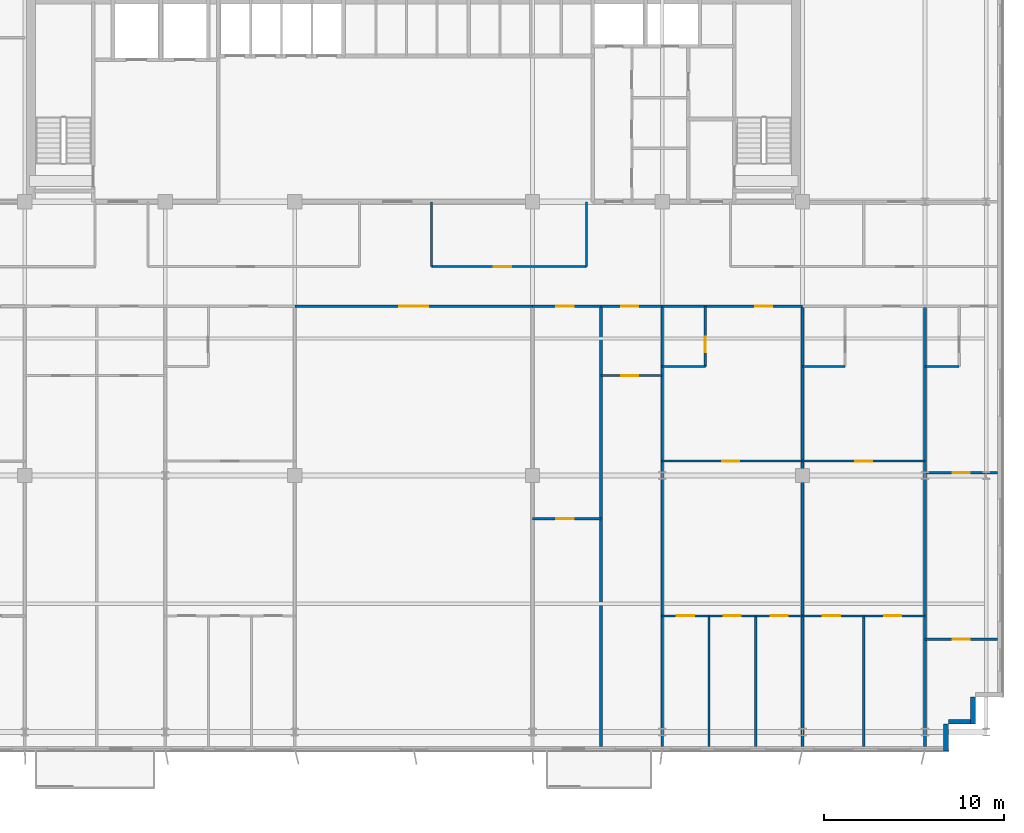
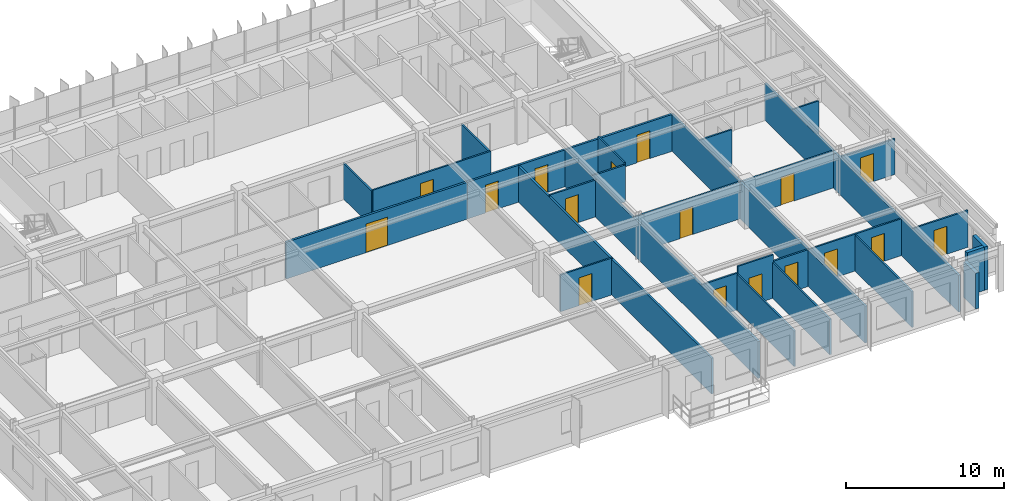
# One storey, part 16 of 22: 32 walls, 17 doors, 17 openings.
"""IFC4 building model written with IfcOpenShell, lengths in metres."""

from ifc_helpers import new_model, si_unit, direction, frame, frame_2d, origin, place, context, subcontext, project, spatial, rectangle, extrude, source, transform, mapped, material, layer, layer_set, type_object, element, fill, save


model = new_model("IFC4")

# Units and contexts
model_context = context("Model", 3, precision=1e-05, world=origin(), true_north=direction((0.0, 1.0)))
body_context = subcontext(model_context, "Body", "Model", "MODEL_VIEW")
ifc_project = project(units=[si_unit("LENGTHUNIT", "METRE"), si_unit("AREAUNIT", "SQUARE_METRE"), si_unit("VOLUMEUNIT", "CUBIC_METRE"), si_unit("PLANEANGLEUNIT", "RADIAN"), si_unit("MASSUNIT", "GRAM", prefix="KILO")], contexts=[model_context])

# Site, building, storey
site_placement = place(None, origin())
site = spatial("IfcSite", under=ifc_project, at=site_placement, CompositionType="ELEMENT")
building_placement = place(site_placement, origin())
building = spatial("IfcBuilding", under=site, at=building_placement, Name="Trelvane Seafront Commons", CompositionType="ELEMENT")
storey_placement = place(building_placement, frame((0.0, 0.0, 96.10009765625)))
storey = spatial("IfcBuildingStorey", under=building, at=storey_placement, Name="L24", CompositionType="ELEMENT", Elevation=96.10009765625)

# Walls
ifc_material_1 = material(Name="Precast concrete C40/50", Category="concrete")
ifc_layer_1 = layer(ifc_material_1, 0.260009765625, Name="ARCH-WALL-EXT260")
ifc_layer_set_1 = layer_set([ifc_layer_1], Name="Precast concrete C40/50")
wall_type_1 = type_object("IfcWallType", Name="ARCH-WALL-EXT260", PredefinedType="SOLIDWALL", material=ifc_layer_set_1)
for number, where, z_axis, x_axis, name in (
    (1, (68.27001953125, 5.89990234375, 0.0), (0.0, 0.0, 1.0), (0.0, -1.0, 0.0), "EW-L24-00449"),
    (2, (68.39990234375, 4.530029296875, 0.0), (0.0, 0.0, 1.0), (-1.0, 0.0, 0.0), "EW-L24-00450"),
):
    element("IfcWall", number, at=place(storey_placement, frame(where, z_axis=z_axis, x_axis=x_axis)), inside=storey, type_object=wall_type_1, Name=name, PredefinedType="SOLIDWALL", context=body_context, shape_type="SweptSolid", body=[
        extrude(rectangle(XDim=1.5, YDim=0.260009765625, at=frame_2d((0.75, 0.0))), origin(), (0.0, 0.0, 1.0), 3.33984375),
    ])
wall_1_placement = place(storey_placement, frame((66.77001953125, 4.39990234375, 0.0), z_axis=(0.0, 0.0, 1.0), x_axis=(0.0, -1.0, 0.0)))
element("IfcWall", 3, at=wall_1_placement, inside=storey, type_object=wall_type_1, Name="EW-L24-00451", PredefinedType="SOLIDWALL", context=body_context, shape_type="SweptSolid", body=[
    extrude(rectangle(XDim=1.5, YDim=0.260009765625, at=frame_2d((0.75, 0.0))), origin(), (0.0, 0.0, 1.0), 2.751953125),
])

# Wall, opening, door
ifc_material_2 = material(Name="Gypsum Drywall Acoustic Partition")
ifc_layer_2 = layer(ifc_material_2, 0.1201171875, Name="ARCH-WALL-PART120")
ifc_layer_set_2 = layer_set([ifc_layer_2], Name="Gypsum Drywall Acoustic Partition")
wall_type_2 = type_object("IfcWallType", Name="ARCH-WALL-PART120", PredefinedType="PARTITIONING", material=ifc_layer_set_2)
wall_2_placement = place(storey_placement, frame((38.199951171875, 29.800048828125, 0.0), z_axis=(0.0, 0.0, 1.0), x_axis=(1.0, 0.0, 0.0)))
wall_2 = element("IfcWall", 4, at=wall_2_placement, inside=storey, type_object=wall_type_2, Name="W-L24-CORR-N-M2-041", PredefinedType="PARTITIONING", context=body_context, shape_type="SweptSolid", body=[
    extrude(rectangle(XDim=8.60009765625, YDim=0.1201171875, at=frame_2d((4.300048828125, 0.0))), origin(), (0.0, 0.0, 1.0), 2.83984375),
])
opening_1_placement = place(wall_2_placement, frame((3.4619140625, 0.0, 0.0)))
opening_1 = element("IfcOpeningElement", 5, at=opening_1_placement, cuts=wall_2, Name="Opening D-L24-21", PredefinedType="OPENING", context=body_context, shape_type="SweptSolid", body=[
    extrude(rectangle(XDim=0.949951171875, YDim=2.14990234375, at=frame_2d((0.47509765625, 1.074951171875))), frame((0.0, 0.070068359375, 0.0), z_axis=(0.0, -1.0, 0.0), x_axis=(1.0, 0.0, 0.0)), (0.0, 0.0, 1.0), 0.14013671875),
])
ifc_material_3 = material(Name="Acoustic timber door leaf", Category="wood")
door_type_1 = type_object("IfcDoorType", Name="ARCH-DR-INT950", OperationType="NOTDEFINED", PredefinedType="DOOR", material=ifc_material_3)
shared_shape_1 = source(origin(), body_context, "Body", "SweptSolid", [
    extrude(rectangle(XDim=0.949951171875, YDim=2.14990234375, at=frame_2d((0.47509765625, 1.074951171875))), frame((0.0, 0.02490234375, 0.0), z_axis=(0.0, -1.0, 0.0), x_axis=(1.0, 0.0, 0.0)), (0.0, 0.0, 1.0), 0.050048828125),
])
door_1_placement = place(opening_1_placement, origin())
door_1 = element("IfcDoor", 6, at=door_1_placement, inside=storey, type_object=door_type_1, Name="L24 Door 21", OperationType="SINGLE_SWING_LEFT", OverallHeight=2.14990234375, OverallWidth=0.949951171875, PredefinedType="DOOR", context=body_context, shape_type="MappedRepresentation", body=[
    mapped(shared_shape_1, transform((0.0, 0.0, 0.0), x_axis=(1.0, 0.0, 0.0), y_axis=(0.0, 1.0, 0.0), z_axis=(0.0, 0.0, 1.0), scale=1.0)),
])
fill(opening_1, door_1)

# Walls
for number, where, z_axis, x_axis, name in (
    (7, (38.199951171875, 29.800048828125, 0.0), (0.0, 0.0, 1.0), (0.0, 1.0, 0.0), "W-L24-N-SPUR-M2-047"),
    (8, (46.800048828125, 29.800048828125, 0.0), (0.0, 0.0, 1.0), (0.0, 1.0, 0.0), "W-L24-N-SPUR-E1-048"),
):
    element("IfcWall", number, at=place(storey_placement, frame(where, z_axis=z_axis, x_axis=x_axis)), inside=storey, type_object=wall_type_2, Name=name, PredefinedType="PARTITIONING", context=body_context, shape_type="SweptSolid", body=[
        extrude(rectangle(XDim=3.599853515625, YDim=0.1201171875, at=frame_2d((1.7998046875, 0.0))), origin(), (0.0, 0.0, 1.0), 2.751953125),
    ])

# Wall, opening, door
wall_3_placement = place(storey_placement, frame((43.800048828125, 15.800048828125, 0.0), z_axis=(0.0, 0.0, 1.0), x_axis=(1.0, 0.0, 0.0)))
wall_3 = element("IfcWall", 9, at=wall_3_placement, inside=storey, type_object=wall_type_2, Name="W-L24-U7-DIV-097", PredefinedType="PARTITIONING", context=body_context, shape_type="SweptSolid", body=[
    extrude(rectangle(XDim=3.800048828125, YDim=0.1201171875, at=frame_2d((1.89990234375, 0.0))), origin(), (0.0, 0.0, 1.0), 2.83984375),
])
opening_2_placement = place(wall_3_placement, frame((1.330078125, 0.0, 0.0)))
opening_2 = element("IfcOpeningElement", 10, at=opening_2_placement, cuts=wall_3, Name="Opening D-L24-53", PredefinedType="OPENING", context=body_context, shape_type="SweptSolid", body=[
    extrude(rectangle(XDim=0.949951171875, YDim=2.14990234375, at=frame_2d((0.47509765625, 1.074951171875))), frame((0.0, 0.070068359375, 0.0), z_axis=(0.0, -1.0, 0.0), x_axis=(1.0, 0.0, 0.0)), (0.0, 0.0, 1.0), 0.14013671875),
])
door_2_placement = place(opening_2_placement, origin())
door_2 = element("IfcDoor", 11, at=door_2_placement, inside=storey, type_object=door_type_1, Name="L24 Door 53", OperationType="SINGLE_SWING_LEFT", OverallHeight=2.14990234375, OverallWidth=0.949951171875, PredefinedType="DOOR", context=body_context, shape_type="MappedRepresentation", body=[
    mapped(shared_shape_1, transform((0.0, 0.0, 0.0), x_axis=(1.0, 0.0, 0.0), y_axis=(0.0, 1.0, 0.0), z_axis=(0.0, 0.0, 1.0), scale=1.0)),
])
fill(opening_2, door_2)

wall_4_placement = place(storey_placement, frame((47.60009765625, 23.75, 0.0), z_axis=(0.0, 0.0, 1.0), x_axis=(1.0, 0.0, 0.0)))
wall_4 = element("IfcWall", 12, at=wall_4_placement, inside=storey, type_object=wall_type_2, Name="W-L24-U8-DIV-099", PredefinedType="PARTITIONING", context=body_context, shape_type="SweptSolid", body=[
    extrude(rectangle(XDim=3.39990234375, YDim=0.1201171875, at=frame_2d((1.699951171875, 0.0))), origin(), (0.0, 0.0, 1.0), 2.83984375),
])
opening_3_placement = place(wall_4_placement, frame((1.131103515625, 0.0, 0.0)))
opening_3 = element("IfcOpeningElement", 13, at=opening_3_placement, cuts=wall_4, Name="Opening D-L24-55", PredefinedType="OPENING", context=body_context, shape_type="SweptSolid", body=[
    extrude(rectangle(XDim=0.949951171875, YDim=2.14990234375, at=frame_2d((0.47509765625, 1.074951171875))), frame((0.0, 0.070068359375, 0.0), z_axis=(0.0, -1.0, 0.0), x_axis=(1.0, 0.0, 0.0)), (0.0, 0.0, 1.0), 0.14013671875),
])
door_3_placement = place(opening_3_placement, origin())
door_3 = element("IfcDoor", 14, at=door_3_placement, inside=storey, type_object=door_type_1, Name="L24 Door 55", OperationType="SINGLE_SWING_LEFT", OverallHeight=2.14990234375, OverallWidth=0.949951171875, PredefinedType="DOOR", context=body_context, shape_type="MappedRepresentation", body=[
    mapped(shared_shape_1, transform((0.0, 0.0, 0.0), x_axis=(1.0, 0.0, 0.0), y_axis=(0.0, 1.0, 0.0), z_axis=(0.0, 0.0, 1.0), scale=1.0)),
])
fill(opening_3, door_3)

wall_5_placement = place(storey_placement, frame((51.0, 19.0, 0.0), z_axis=(0.0, 0.0, 1.0), x_axis=(1.0, 0.0, 0.0)))
wall_5 = element("IfcWall", 15, at=wall_5_placement, inside=storey, type_object=wall_type_2, Name="W-L24-U9-KL-100", PredefinedType="PARTITIONING", context=body_context, shape_type="SweptSolid", body=[
    extrude(rectangle(XDim=7.800048828125, YDim=0.1201171875, at=frame_2d((3.89990234375, 0.0))), origin(), (0.0, 0.0, 1.0), 2.83984375),
])
opening_4_placement = place(wall_5_placement, frame((3.3330078125, 0.0, 0.0)))
opening_4 = element("IfcOpeningElement", 16, at=opening_4_placement, cuts=wall_5, Name="Opening D-L24-56", PredefinedType="OPENING", context=body_context, shape_type="SweptSolid", body=[
    extrude(rectangle(XDim=0.949951171875, YDim=2.14990234375, at=frame_2d((0.47509765625, 1.074951171875))), frame((0.0, 0.070068359375, 0.0), z_axis=(0.0, -1.0, 0.0), x_axis=(1.0, 0.0, 0.0)), (0.0, 0.0, 1.0), 0.14013671875),
])
door_4_placement = place(opening_4_placement, origin())
door_4 = element("IfcDoor", 17, at=door_4_placement, inside=storey, type_object=door_type_1, Name="L24 Door 56", OperationType="SINGLE_SWING_RIGHT", OverallHeight=2.14990234375, OverallWidth=0.949951171875, PredefinedType="DOOR", context=body_context, shape_type="MappedRepresentation", body=[
    mapped(shared_shape_1, transform((0.0, 0.0, 0.0), x_axis=(1.0, 0.0, 0.0), y_axis=(0.0, 1.0, 0.0), z_axis=(0.0, 0.0, 1.0), scale=1.0)),
])
fill(opening_4, door_4)

wall_6_placement = place(storey_placement, frame((53.39990234375, 24.25, 0.0), z_axis=(0.0, 0.0, 1.0), x_axis=(0.0, 1.0, 0.0)))
wall_6 = element("IfcWall", 18, at=wall_6_placement, inside=storey, type_object=wall_type_2, Name="W-L24-U9-BE-101", PredefinedType="PARTITIONING", context=body_context, shape_type="SweptSolid", body=[
    extrude(rectangle(XDim=3.35009765625, YDim=0.1201171875, at=frame_2d((1.675048828125, 0.0))), origin(), (0.0, 0.0, 1.0), 2.989990234375),
])
opening_5_placement = place(wall_6_placement, frame((0.800048828125, 0.0, 0.0)))
opening_5 = element("IfcOpeningElement", 19, at=opening_5_placement, cuts=wall_6, Name="Opening D-L24-57", PredefinedType="OPENING", context=body_context, shape_type="SweptSolid", body=[
    extrude(rectangle(XDim=0.85009765625, YDim=2.10009765625, at=frame_2d((0.425048828125, 1.050048828125))), frame((0.0, 0.070068359375, 0.0), z_axis=(0.0, -1.0, 0.0), x_axis=(1.0, 0.0, 0.0)), (0.0, 0.0, 1.0), 0.14013671875),
])
door_type_2 = type_object("IfcDoorType", Name="ARCH-DR-INT850", OperationType="NOTDEFINED", PredefinedType="DOOR", material=ifc_material_3)
shared_shape_2 = source(origin(), body_context, "Body", "SweptSolid", [
    extrude(rectangle(XDim=0.85009765625, YDim=2.10009765625, at=frame_2d((0.425048828125, 1.050048828125))), frame((0.0, 0.02490234375, 0.0), z_axis=(0.0, -1.0, 0.0), x_axis=(1.0, 0.0, 0.0)), (0.0, 0.0, 1.0), 0.050048828125),
])
door_5_placement = place(opening_5_placement, origin())
door_5 = element("IfcDoor", 20, at=door_5_placement, inside=storey, type_object=door_type_2, Name="L24 Door 57", OperationType="SINGLE_SWING_LEFT", OverallHeight=2.10009765625, OverallWidth=0.85009765625, PredefinedType="DOOR", context=body_context, shape_type="MappedRepresentation", body=[
    mapped(shared_shape_2, transform((0.0, 0.0, 0.0), x_axis=(1.0, 0.0, 0.0), y_axis=(0.0, 1.0, 0.0), z_axis=(0.0, 0.0, 1.0), scale=1.0)),
])
fill(opening_5, door_5)

# Wall
wall_7_placement = place(storey_placement, frame((51.0, 24.25, 0.0), z_axis=(0.0, 0.0, 1.0), x_axis=(1.0, 0.0, 0.0)))
element("IfcWall", 21, at=wall_7_placement, inside=storey, type_object=wall_type_2, Name="W-L24-U9-BS-102", PredefinedType="PARTITIONING", context=body_context, shape_type="SweptSolid", body=[
    extrude(rectangle(XDim=2.39990234375, YDim=0.1201171875, at=frame_2d((1.199951171875, 0.0))), origin(), (0.0, 0.0, 1.0), 2.83984375),
])

# Wall, opening, door
wall_8_placement = place(storey_placement, frame((51.0, 10.39990234375, 0.0), z_axis=(0.0, 0.0, 1.0), x_axis=(1.0, 0.0, 0.0)))
wall_8 = element("IfcWall", 22, at=wall_8_placement, inside=storey, type_object=wall_type_2, Name="W-L24-U9-YM-1-104", PredefinedType="PARTITIONING", context=body_context, shape_type="SweptSolid", body=[
    extrude(rectangle(XDim=2.60009765625, YDim=0.1201171875, at=frame_2d((1.300048828125, 0.0))), origin(), (0.0, 0.0, 1.0), 2.83984375),
])
opening_6_placement = place(wall_8_placement, frame((0.824951171875, 0.0, 0.0)))
opening_6 = element("IfcOpeningElement", 23, at=opening_6_placement, cuts=wall_8, Name="Opening D-L24-59", PredefinedType="OPENING", context=body_context, shape_type="SweptSolid", body=[
    extrude(rectangle(XDim=0.949951171875, YDim=2.14990234375, at=frame_2d((0.47509765625, 1.074951171875))), frame((0.0, 0.070068359375, 0.0), z_axis=(0.0, -1.0, 0.0), x_axis=(1.0, 0.0, 0.0)), (0.0, 0.0, 1.0), 0.14013671875),
])
door_6_placement = place(opening_6_placement, origin())
door_6 = element("IfcDoor", 24, at=door_6_placement, inside=storey, type_object=door_type_1, Name="L24 Door 59", OperationType="SINGLE_SWING_LEFT", OverallHeight=2.14990234375, OverallWidth=0.949951171875, PredefinedType="DOOR", context=body_context, shape_type="MappedRepresentation", body=[
    mapped(shared_shape_1, transform((0.0, 0.0, 0.0), x_axis=(1.0, 0.0, 0.0), y_axis=(0.0, 1.0, 0.0), z_axis=(0.0, 0.0, 1.0), scale=1.0)),
])
fill(opening_6, door_6)

wall_9_placement = place(storey_placement, frame((53.60009765625, 10.39990234375, 0.0), z_axis=(0.0, 0.0, 1.0), x_axis=(1.0, 0.0, 0.0)))
wall_9 = element("IfcWall", 25, at=wall_9_placement, inside=storey, type_object=wall_type_2, Name="W-L24-U9-YM-2-105", PredefinedType="PARTITIONING", context=body_context, shape_type="SweptSolid", body=[
    extrude(rectangle(XDim=2.599853515625, YDim=0.1201171875, at=frame_2d((1.2998046875, 0.0))), origin(), (0.0, 0.0, 1.0), 3.33984375),
])
opening_7_placement = place(wall_9_placement, frame((0.824951171875, 0.0, 0.0)))
opening_7 = element("IfcOpeningElement", 26, at=opening_7_placement, cuts=wall_9, Name="Opening D-L24-60", PredefinedType="OPENING", context=body_context, shape_type="SweptSolid", body=[
    extrude(rectangle(XDim=0.949951171875, YDim=2.14990234375, at=frame_2d((0.47509765625, 1.074951171875))), frame((0.0, 0.070068359375, 0.0), z_axis=(0.0, -1.0, 0.0), x_axis=(1.0, 0.0, 0.0)), (0.0, 0.0, 1.0), 0.14013671875),
])
door_7_placement = place(opening_7_placement, origin())
door_7 = element("IfcDoor", 27, at=door_7_placement, inside=storey, type_object=door_type_1, Name="L24 Door 60", OperationType="SINGLE_SWING_RIGHT", OverallHeight=2.14990234375, OverallWidth=0.949951171875, PredefinedType="DOOR", context=body_context, shape_type="MappedRepresentation", body=[
    mapped(shared_shape_1, transform((0.0, 0.0, 0.0), x_axis=(1.0, 0.0, 0.0), y_axis=(0.0, 1.0, 0.0), z_axis=(0.0, 0.0, 1.0), scale=1.0)),
])
fill(opening_7, door_7)

# Wall
wall_10_placement = place(storey_placement, frame((53.60009765625, 3.14501953125, 0.0), z_axis=(0.0, 0.0, 1.0), x_axis=(0.0, 1.0, 0.0)))
element("IfcWall", 28, at=wall_10_placement, inside=storey, type_object=wall_type_2, Name="W-L24-U9-BDV-1-106", PredefinedType="PARTITIONING", context=body_context, shape_type="SweptSolid", body=[
    extrude(rectangle(XDim=7.2548828125, YDim=0.1201171875, at=frame_2d((3.62744140625, 0.0))), origin(), (0.0, 0.0, 1.0), 2.751953125),
])

# Wall, opening, door
wall_11_placement = place(storey_placement, frame((56.199951171875, 10.39990234375, 0.0), z_axis=(0.0, 0.0, 1.0), x_axis=(1.0, 0.0, 0.0)))
wall_11 = element("IfcWall", 29, at=wall_11_placement, inside=storey, type_object=wall_type_2, Name="W-L24-U9-YM-3-107", PredefinedType="PARTITIONING", context=body_context, shape_type="SweptSolid", body=[
    extrude(rectangle(XDim=2.60009765625, YDim=0.1201171875, at=frame_2d((1.300048828125, 0.0))), origin(), (0.0, 0.0, 1.0), 2.83984375),
])
opening_8_placement = place(wall_11_placement, frame((0.824951171875, 0.0, 0.0)))
opening_8 = element("IfcOpeningElement", 30, at=opening_8_placement, cuts=wall_11, Name="Opening D-L24-61", PredefinedType="OPENING", context=body_context, shape_type="SweptSolid", body=[
    extrude(rectangle(XDim=0.949951171875, YDim=2.14990234375, at=frame_2d((0.47509765625, 1.074951171875))), frame((0.0, 0.070068359375, 0.0), z_axis=(0.0, -1.0, 0.0), x_axis=(1.0, 0.0, 0.0)), (0.0, 0.0, 1.0), 0.14013671875),
])
door_8_placement = place(opening_8_placement, origin())
door_8 = element("IfcDoor", 31, at=door_8_placement, inside=storey, type_object=door_type_1, Name="L24 Door 61", OperationType="SINGLE_SWING_LEFT", OverallHeight=2.14990234375, OverallWidth=0.949951171875, PredefinedType="DOOR", context=body_context, shape_type="MappedRepresentation", body=[
    mapped(shared_shape_1, transform((0.0, 0.0, 0.0), x_axis=(1.0, 0.0, 0.0), y_axis=(0.0, 1.0, 0.0), z_axis=(0.0, 0.0, 1.0), scale=1.0)),
])
fill(opening_8, door_8)

# Wall
wall_12_placement = place(storey_placement, frame((56.199951171875, 3.14501953125, 0.0), z_axis=(0.0, 0.0, 1.0), x_axis=(0.0, 1.0, 0.0)))
element("IfcWall", 32, at=wall_12_placement, inside=storey, type_object=wall_type_2, Name="W-L24-U9-BDV-2-108", PredefinedType="PARTITIONING", context=body_context, shape_type="SweptSolid", body=[
    extrude(rectangle(XDim=7.2548828125, YDim=0.1201171875, at=frame_2d((3.62744140625, 0.0))), origin(), (0.0, 0.0, 1.0), 2.751953125),
])

# Wall, opening, door
wall_13_placement = place(storey_placement, frame((58.800048828125, 19.0, 0.0), z_axis=(0.0, 0.0, 1.0), x_axis=(1.0, 0.0, 0.0)))
wall_13 = element("IfcWall", 33, at=wall_13_placement, inside=storey, type_object=wall_type_2, Name="W-L24-U10-KL-109", PredefinedType="PARTITIONING", context=body_context, shape_type="SweptSolid", body=[
    extrude(rectangle(XDim=6.800048828125, YDim=0.1201171875, at=frame_2d((3.39990234375, 0.0))), origin(), (0.0, 0.0, 1.0), 2.83984375),
])
opening_9_placement = place(wall_13_placement, frame((2.925048828125, 0.0, 0.0)))
opening_9 = element("IfcOpeningElement", 34, at=opening_9_placement, cuts=wall_13, Name="Opening D-L24-62", PredefinedType="OPENING", context=body_context, shape_type="SweptSolid", body=[
    extrude(rectangle(XDim=0.949951171875, YDim=2.14990234375, at=frame_2d((0.47509765625, 1.074951171875))), frame((0.0, 0.070068359375, 0.0), z_axis=(0.0, -1.0, 0.0), x_axis=(1.0, 0.0, 0.0)), (0.0, 0.0, 1.0), 0.14013671875),
])
door_9_placement = place(opening_9_placement, origin())
door_9 = element("IfcDoor", 35, at=door_9_placement, inside=storey, type_object=door_type_1, Name="L24 Door 62", OperationType="SINGLE_SWING_RIGHT", OverallHeight=2.14990234375, OverallWidth=0.949951171875, PredefinedType="DOOR", context=body_context, shape_type="MappedRepresentation", body=[
    mapped(shared_shape_1, transform((0.0, 0.0, 0.0), x_axis=(1.0, 0.0, 0.0), y_axis=(0.0, 1.0, 0.0), z_axis=(0.0, 0.0, 1.0), scale=1.0)),
])
fill(opening_9, door_9)

# Wall
wall_14_placement = place(storey_placement, frame((58.800048828125, 24.25, 0.0), z_axis=(0.0, 0.0, 1.0), x_axis=(1.0, 0.0, 0.0)))
element("IfcWall", 36, at=wall_14_placement, inside=storey, type_object=wall_type_2, Name="W-L24-U10-BS-111", PredefinedType="PARTITIONING", context=body_context, shape_type="SweptSolid", body=[
    extrude(rectangle(XDim=2.362060546875, YDim=0.1201171875, at=frame_2d((1.18115234375, 0.0))), origin(), (0.0, 0.0, 1.0), 2.83984375),
])

# Wall, opening, door
wall_15_placement = place(storey_placement, frame((58.800048828125, 10.39990234375, 0.0), z_axis=(0.0, 0.0, 1.0), x_axis=(1.0, 0.0, 0.0)))
wall_15 = element("IfcWall", 37, at=wall_15_placement, inside=storey, type_object=wall_type_2, Name="W-L24-U10-YM-1-113", PredefinedType="PARTITIONING", context=body_context, shape_type="SweptSolid", body=[
    extrude(rectangle(XDim=3.39990234375, YDim=0.1201171875, at=frame_2d((1.699951171875, 0.0))), origin(), (0.0, 0.0, 1.0), 2.83984375),
])
opening_10_placement = place(wall_15_placement, frame((1.131103515625, 0.0, 0.0)))
opening_10 = element("IfcOpeningElement", 38, at=opening_10_placement, cuts=wall_15, Name="Opening D-L24-65", PredefinedType="OPENING", context=body_context, shape_type="SweptSolid", body=[
    extrude(rectangle(XDim=0.949951171875, YDim=2.14990234375, at=frame_2d((0.47509765625, 1.074951171875))), frame((0.0, 0.070068359375, 0.0), z_axis=(0.0, -1.0, 0.0), x_axis=(1.0, 0.0, 0.0)), (0.0, 0.0, 1.0), 0.14013671875),
])
door_10_placement = place(opening_10_placement, origin())
door_10 = element("IfcDoor", 39, at=door_10_placement, inside=storey, type_object=door_type_1, Name="L24 Door 65", OperationType="SINGLE_SWING_LEFT", OverallHeight=2.14990234375, OverallWidth=0.949951171875, PredefinedType="DOOR", context=body_context, shape_type="MappedRepresentation", body=[
    mapped(shared_shape_1, transform((0.0, 0.0, 0.0), x_axis=(1.0, 0.0, 0.0), y_axis=(0.0, 1.0, 0.0), z_axis=(0.0, 0.0, 1.0), scale=1.0)),
])
fill(opening_10, door_10)

wall_16_placement = place(storey_placement, frame((62.199951171875, 10.39990234375, 0.0), z_axis=(0.0, 0.0, 1.0), x_axis=(1.0, 0.0, 0.0)))
wall_16 = element("IfcWall", 40, at=wall_16_placement, inside=storey, type_object=wall_type_2, Name="W-L24-U10-YM-2-114", PredefinedType="PARTITIONING", context=body_context, shape_type="SweptSolid", body=[
    extrude(rectangle(XDim=3.400146484375, YDim=0.1201171875, at=frame_2d((1.7001953125, 0.0))), origin(), (0.0, 0.0, 1.0), 2.83984375),
])
opening_11_placement = place(wall_16_placement, frame((1.131103515625, 0.0, 0.0)))
opening_11 = element("IfcOpeningElement", 41, at=opening_11_placement, cuts=wall_16, Name="Opening D-L24-66", PredefinedType="OPENING", context=body_context, shape_type="SweptSolid", body=[
    extrude(rectangle(XDim=0.949951171875, YDim=2.14990234375, at=frame_2d((0.47509765625, 1.074951171875))), frame((0.0, 0.070068359375, 0.0), z_axis=(0.0, -1.0, 0.0), x_axis=(1.0, 0.0, 0.0)), (0.0, 0.0, 1.0), 0.14013671875),
])
door_11_placement = place(opening_11_placement, origin())
door_11 = element("IfcDoor", 42, at=door_11_placement, inside=storey, type_object=door_type_1, Name="L24 Door 66", OperationType="SINGLE_SWING_RIGHT", OverallHeight=2.14990234375, OverallWidth=0.949951171875, PredefinedType="DOOR", context=body_context, shape_type="MappedRepresentation", body=[
    mapped(shared_shape_1, transform((0.0, 0.0, 0.0), x_axis=(1.0, 0.0, 0.0), y_axis=(0.0, 1.0, 0.0), z_axis=(0.0, 0.0, 1.0), scale=1.0)),
])
fill(opening_11, door_11)

# Wall
wall_17_placement = place(storey_placement, frame((62.199951171875, 3.14501953125, 0.0), z_axis=(0.0, 0.0, 1.0), x_axis=(0.0, 1.0, 0.0)))
element("IfcWall", 43, at=wall_17_placement, inside=storey, type_object=wall_type_2, Name="W-L24-U10-BDV-1-115", PredefinedType="PARTITIONING", context=body_context, shape_type="SweptSolid", body=[
    extrude(rectangle(XDim=7.2548828125, YDim=0.1201171875, at=frame_2d((3.62744140625, 0.0))), origin(), (0.0, 0.0, 1.0), 2.751953125),
])

# Wall, opening, door
wall_18_placement = place(storey_placement, frame((65.60009765625, 18.35009765625, 0.0), z_axis=(0.0, 0.0, 1.0), x_axis=(1.0, 0.0, 0.0)))
wall_18 = element("IfcWall", 44, at=wall_18_placement, inside=storey, type_object=wall_type_2, Name="W-L24-U11-KL-116", PredefinedType="PARTITIONING", context=body_context, shape_type="SweptSolid", body=[
    extrude(rectangle(XDim=4.039794921875, YDim=0.1201171875, at=frame_2d((2.02001953125, 0.0))), origin(), (0.0, 0.0, 1.0), 2.751953125),
])
opening_12_placement = place(wall_18_placement, frame((1.544921875, 0.0, 0.0)))
opening_12 = element("IfcOpeningElement", 45, at=opening_12_placement, cuts=wall_18, Name="Opening D-L24-67", PredefinedType="OPENING", context=body_context, shape_type="SweptSolid", body=[
    extrude(rectangle(XDim=0.949951171875, YDim=2.14990234375, at=frame_2d((0.47509765625, 1.074951171875))), frame((0.0, 0.070068359375, 0.0), z_axis=(0.0, -1.0, 0.0), x_axis=(1.0, 0.0, 0.0)), (0.0, 0.0, 1.0), 0.14013671875),
])
door_12_placement = place(opening_12_placement, origin())
door_12 = element("IfcDoor", 46, at=door_12_placement, inside=storey, type_object=door_type_1, Name="L24 Door 67", OperationType="SINGLE_SWING_LEFT", OverallHeight=2.14990234375, OverallWidth=0.949951171875, PredefinedType="DOOR", context=body_context, shape_type="MappedRepresentation", body=[
    mapped(shared_shape_1, transform((0.0, 0.0, 0.0), x_axis=(1.0, 0.0, 0.0), y_axis=(0.0, 1.0, 0.0), z_axis=(0.0, 0.0, 1.0), scale=1.0)),
])
fill(opening_12, door_12)

# Wall
wall_19_placement = place(storey_placement, frame((65.60009765625, 24.25, 0.0), z_axis=(0.0, 0.0, 1.0), x_axis=(1.0, 0.0, 0.0)))
element("IfcWall", 47, at=wall_19_placement, inside=storey, type_object=wall_type_2, Name="W-L24-U11-BS-118", PredefinedType="PARTITIONING", context=body_context, shape_type="SweptSolid", body=[
    extrude(rectangle(XDim=1.89990234375, YDim=0.1201171875, at=frame_2d((0.949951171875, 0.0))), origin(), (0.0, 0.0, 1.0), 2.83984375),
])

# Wall, opening, door
wall_20_placement = place(storey_placement, frame((65.60009765625, 9.10009765625, 0.0), z_axis=(0.0, 0.0, 1.0), x_axis=(1.0, 0.0, 0.0)))
wall_20 = element("IfcWall", 48, at=wall_20_placement, inside=storey, type_object=wall_type_2, Name="W-L24-U11-YM-1-120", PredefinedType="PARTITIONING", context=body_context, shape_type="SweptSolid", body=[
    extrude(rectangle(XDim=4.039794921875, YDim=0.1201171875, at=frame_2d((2.02001953125, 0.0))), origin(), (0.0, 0.0, 1.0), 2.83984375),
])
opening_13_placement = place(wall_20_placement, frame((1.544921875, 0.0, 0.0)))
opening_13 = element("IfcOpeningElement", 49, at=opening_13_placement, cuts=wall_20, Name="Opening D-L24-70", PredefinedType="OPENING", context=body_context, shape_type="SweptSolid", body=[
    extrude(rectangle(XDim=0.949951171875, YDim=2.14990234375, at=frame_2d((0.47509765625, 1.074951171875))), frame((0.0, 0.070068359375, 0.0), z_axis=(0.0, -1.0, 0.0), x_axis=(1.0, 0.0, 0.0)), (0.0, 0.0, 1.0), 0.14013671875),
])
door_13_placement = place(opening_13_placement, origin())
door_13 = element("IfcDoor", 50, at=door_13_placement, inside=storey, type_object=door_type_1, Name="L24 Door 70", OperationType="SINGLE_SWING_RIGHT", OverallHeight=2.14990234375, OverallWidth=0.949951171875, PredefinedType="DOOR", context=body_context, shape_type="MappedRepresentation", body=[
    mapped(shared_shape_1, transform((0.0, 0.0, 0.0), x_axis=(1.0, 0.0, 0.0), y_axis=(0.0, 1.0, 0.0), z_axis=(0.0, 0.0, 1.0), scale=1.0)),
])
fill(opening_13, door_13)

# Walls
ifc_layer_3 = layer(ifc_material_2, 0.14990234375, Name="ARCH-WALL-PART150")
ifc_layer_set_3 = layer_set([ifc_layer_3], Name="Gypsum Drywall Acoustic Partition")
wall_type_3 = type_object("IfcWallType", Name="ARCH-WALL-PART150", PredefinedType="PARTITIONING", material=ifc_layer_set_3)
wall_21_placement = place(storey_placement, frame((47.60009765625, 3.14501953125, 0.0), z_axis=(0.0, 0.0, 1.0), x_axis=(0.0, 1.0, 0.0)))
element("IfcWall", 51, at=wall_21_placement, inside=storey, type_object=wall_type_3, Name="W-L24-PW-7-066", PredefinedType="PARTITIONING", context=body_context, shape_type="SweptSolid", body=[
    extrude(rectangle(XDim=24.455078125, YDim=0.14990234375, at=frame_2d((12.2275390625, 0.0))), origin(), (0.0, 0.0, 1.0), 2.751953125),
])
for number, where, z_axis, x_axis, name in (
    (52, (51.0, 3.14501953125, 0.0), (0.0, 0.0, 1.0), (0.0, 1.0, 0.0), "W-L24-PW-8-067"),
    (53, (58.800048828125, 3.14501953125, 0.0), (0.0, 0.0, 1.0), (0.0, 1.0, 0.0), "W-L24-PW-9-068"),
    (54, (65.60009765625, 3.14501953125, 0.0), (0.0, 0.0, 1.0), (0.0, 1.0, 0.0), "W-L24-PW-10-069"),
):
    element("IfcWall", number, at=place(storey_placement, frame(where, z_axis=z_axis, x_axis=x_axis)), inside=storey, type_object=wall_type_3, Name=name, PredefinedType="PARTITIONING", context=body_context, shape_type="SweptSolid", body=[
        extrude(rectangle(XDim=24.455078125, YDim=0.14990234375, at=frame_2d((12.2275390625, 0.0))), origin(), (0.0, 0.0, 1.0), 2.83984375),
    ])

# Wall, opening, door
wall_22_placement = place(storey_placement, frame((30.60009765625, 27.60009765625, 0.0), z_axis=(0.0, 0.0, 1.0), x_axis=(1.0, 0.0, 0.0)))
wall_22 = element("IfcWall", 55, at=wall_22_placement, inside=storey, type_object=wall_type_3, Name="W-L24-CS-BAY-6-095", PredefinedType="PARTITIONING", context=body_context, shape_type="SweptSolid", body=[
    extrude(rectangle(XDim=13.199951171875, YDim=0.14990234375, at=frame_2d((6.60009765625, 0.0))), origin(), (0.0, 0.0, 1.0), 2.83984375),
])
opening_14_placement = place(wall_22_placement, frame((5.800048828125, 0.0, 0.0)))
opening_14 = element("IfcOpeningElement", 56, at=opening_14_placement, cuts=wall_22, Name="Opening D-L24-51", PredefinedType="OPENING", context=body_context, shape_type="SweptSolid", body=[
    extrude(rectangle(XDim=1.60009765625, YDim=2.199951171875, at=frame_2d((0.800048828125, 1.10009765625))), frame((0.0, 0.0849609375, 0.0), z_axis=(0.0, -1.0, 0.0), x_axis=(1.0, 0.0, 0.0)), (0.0, 0.0, 1.0), 0.169921875),
])
door_type_3 = type_object("IfcDoorType", Name="ARCH-DR-GLZ1600", OperationType="DOUBLE_DOOR_SINGLE_SWING", PredefinedType="DOOR", material=ifc_material_3)
shared_shape_3 = source(origin(), body_context, "Body", "SweptSolid", [
    extrude(rectangle(XDim=1.60009765625, YDim=2.199951171875, at=frame_2d((0.800048828125, 1.10009765625))), frame((0.0, 0.02490234375, 0.0), z_axis=(0.0, -1.0, 0.0), x_axis=(1.0, 0.0, 0.0)), (0.0, 0.0, 1.0), 0.050048828125),
])
door_14_placement = place(opening_14_placement, origin())
door_14 = element("IfcDoor", 57, at=door_14_placement, inside=storey, type_object=door_type_3, Name="L24 Commons Lounge 06 Door", OperationType="DOUBLE_DOOR_SINGLE_SWING", OverallHeight=2.199951171875, OverallWidth=1.60009765625, PredefinedType="DOOR", context=body_context, shape_type="MappedRepresentation", body=[
    mapped(shared_shape_3, transform((0.0, 0.0, 0.0), x_axis=(1.0, 0.0, 0.0), y_axis=(0.0, 1.0, 0.0), z_axis=(0.0, 0.0, 1.0), scale=1.0)),
])
fill(opening_14, door_14)

wall_23_placement = place(storey_placement, frame((43.800048828125, 27.60009765625, 0.0), z_axis=(0.0, 0.0, 1.0), x_axis=(1.0, 0.0, 0.0)))
wall_23 = element("IfcWall", 58, at=wall_23_placement, inside=storey, type_object=wall_type_3, Name="W-L24-CS-BAY-7-096", PredefinedType="PARTITIONING", context=body_context, shape_type="SweptSolid", body=[
    extrude(rectangle(XDim=3.800048828125, YDim=0.14990234375, at=frame_2d((1.89990234375, 0.0))), origin(), (0.0, 0.0, 1.0), 2.83984375),
])
opening_15_placement = place(wall_23_placement, frame((1.330078125, 0.0, 0.0)))
opening_15 = element("IfcOpeningElement", 59, at=opening_15_placement, cuts=wall_23, Name="Opening FD-L24-52", PredefinedType="OPENING", context=body_context, shape_type="SweptSolid", body=[
    extrude(rectangle(XDim=0.949951171875, YDim=2.14990234375, at=frame_2d((0.47509765625, 1.074951171875))), frame((0.0, 0.0849609375, 0.0), z_axis=(0.0, -1.0, 0.0), x_axis=(1.0, 0.0, 0.0)), (0.0, 0.0, 1.0), 0.169921875),
])
ifc_material_4 = material(Name="Powder-coated aluminium frame", Category="aluminium")
door_type_4 = type_object("IfcDoorType", Name="ARCH-DR-FD60-950", OperationType="NOTDEFINED", PredefinedType="DOOR", material=ifc_material_4)
door_15_placement = place(opening_15_placement, origin())
door_15 = element("IfcDoor", 60, at=door_15_placement, inside=storey, type_object=door_type_4, Name="L24 Bay 07 Entrance Door", OperationType="SINGLE_SWING_RIGHT", OverallHeight=2.14990234375, OverallWidth=0.949951171875, PredefinedType="DOOR", context=body_context, shape_type="MappedRepresentation", body=[
    mapped(shared_shape_1, transform((0.0, 0.0, 0.0), x_axis=(1.0, 0.0, 0.0), y_axis=(0.0, 1.0, 0.0), z_axis=(0.0, 0.0, 1.0), scale=1.0)),
])
fill(opening_15, door_15)

wall_24_placement = place(storey_placement, frame((47.60009765625, 27.60009765625, 0.0), z_axis=(0.0, 0.0, 1.0), x_axis=(1.0, 0.0, 0.0)))
wall_24 = element("IfcWall", 61, at=wall_24_placement, inside=storey, type_object=wall_type_3, Name="W-L24-CS-BAY-8-098", PredefinedType="PARTITIONING", context=body_context, shape_type="SweptSolid", body=[
    extrude(rectangle(XDim=3.39990234375, YDim=0.14990234375, at=frame_2d((1.699951171875, 0.0))), origin(), (0.0, 0.0, 1.0), 2.83984375),
])
opening_16_placement = place(wall_24_placement, frame((1.131103515625, 0.0, 0.0)))
opening_16 = element("IfcOpeningElement", 62, at=opening_16_placement, cuts=wall_24, Name="Opening FD-L24-54", PredefinedType="OPENING", context=body_context, shape_type="SweptSolid", body=[
    extrude(rectangle(XDim=0.949951171875, YDim=2.14990234375, at=frame_2d((0.47509765625, 1.074951171875))), frame((0.0, 0.0849609375, 0.0), z_axis=(0.0, -1.0, 0.0), x_axis=(1.0, 0.0, 0.0)), (0.0, 0.0, 1.0), 0.169921875),
])
door_16_placement = place(opening_16_placement, origin())
door_16 = element("IfcDoor", 63, at=door_16_placement, inside=storey, type_object=door_type_4, Name="L24 Bay 08 Entrance Door", OperationType="SINGLE_SWING_RIGHT", OverallHeight=2.14990234375, OverallWidth=0.949951171875, PredefinedType="DOOR", context=body_context, shape_type="MappedRepresentation", body=[
    mapped(shared_shape_1, transform((0.0, 0.0, 0.0), x_axis=(1.0, 0.0, 0.0), y_axis=(0.0, 1.0, 0.0), z_axis=(0.0, 0.0, 1.0), scale=1.0)),
])
fill(opening_16, door_16)

wall_25_placement = place(storey_placement, frame((51.0, 27.60009765625, 0.0), z_axis=(0.0, 0.0, 1.0), x_axis=(1.0, 0.0, 0.0)))
wall_25 = element("IfcWall", 64, at=wall_25_placement, inside=storey, type_object=wall_type_3, Name="W-L24-CS-BAY-9-103", PredefinedType="PARTITIONING", context=body_context, shape_type="SweptSolid", body=[
    extrude(rectangle(XDim=7.800048828125, YDim=0.14990234375, at=frame_2d((3.89990234375, 0.0))), origin(), (0.0, 0.0, 1.0), 2.83984375),
])
opening_17_placement = place(wall_25_placement, frame((5.172119140625, 0.0, 0.0)))
opening_17 = element("IfcOpeningElement", 65, at=opening_17_placement, cuts=wall_25, Name="Opening FD-L24-58", PredefinedType="OPENING", context=body_context, shape_type="SweptSolid", body=[
    extrude(rectangle(XDim=0.949951171875, YDim=2.14990234375, at=frame_2d((0.47509765625, 1.074951171875))), frame((0.0, 0.0849609375, 0.0), z_axis=(0.0, -1.0, 0.0), x_axis=(1.0, 0.0, 0.0)), (0.0, 0.0, 1.0), 0.169921875),
])
door_17_placement = place(opening_17_placement, origin())
door_17 = element("IfcDoor", 66, at=door_17_placement, inside=storey, type_object=door_type_4, Name="L24 Unit 09 Entrance Door", OperationType="SINGLE_SWING_RIGHT", OverallHeight=2.14990234375, OverallWidth=0.949951171875, PredefinedType="DOOR", context=body_context, shape_type="MappedRepresentation", body=[
    mapped(shared_shape_1, transform((0.0, 0.0, 0.0), x_axis=(1.0, 0.0, 0.0), y_axis=(0.0, 1.0, 0.0), z_axis=(0.0, 0.0, 1.0), scale=1.0)),
])
fill(opening_17, door_17)

save(model, "model.ifc")
